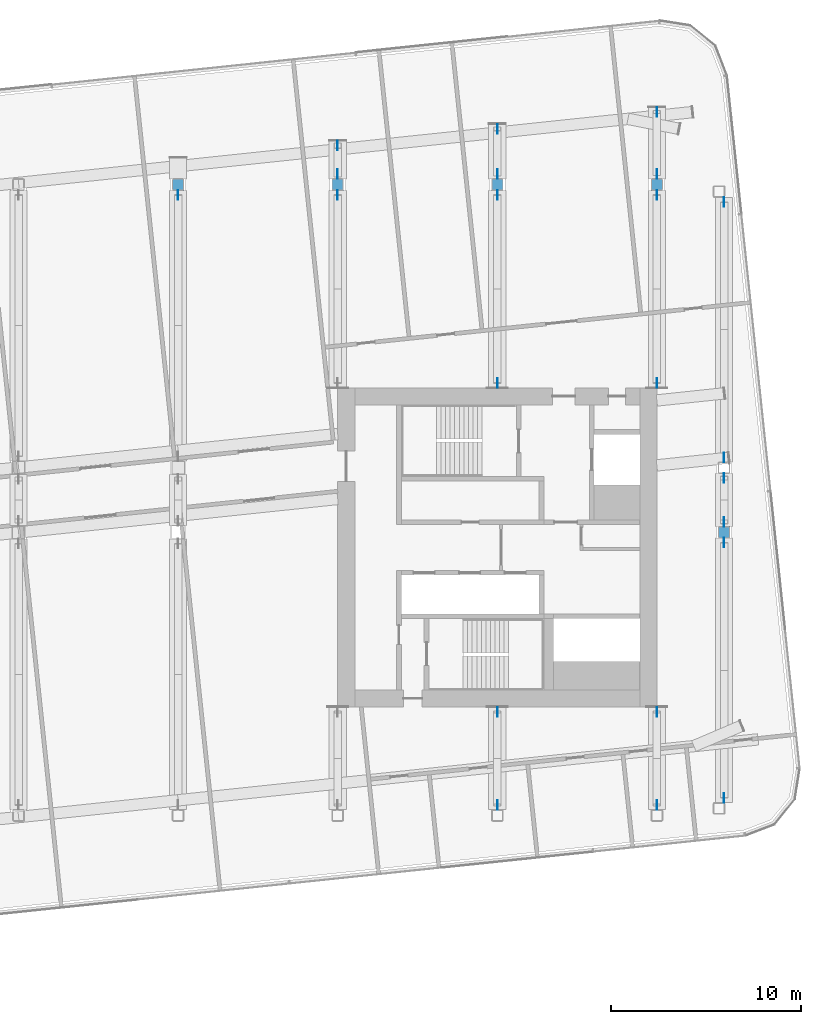
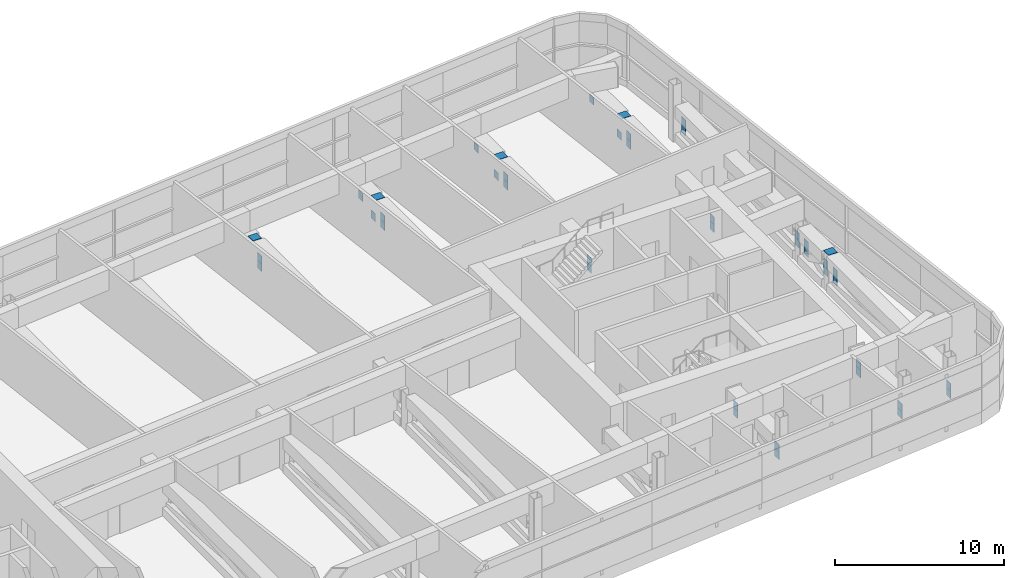
# One storey, part 27 of 33: 43 discrete accessories.
"""IFC4 building model written with IfcOpenShell, lengths in metres."""

from ifc_helpers import new_model, si_unit, direction, frame, origin, origin_2d, place, context, subcontext, project, spatial, rectangle, extrude, material, material_profile, profile_set, type_object, element, save


model = new_model("IFC4")

# Units and contexts
model_context = context("Model", 3, precision=1e-05, world=origin(), true_north=direction((0.0, 1.0)))
body_context = subcontext(model_context, "Body", "Model", "MODEL_VIEW")
ifc_project = project(units=[si_unit("LENGTHUNIT", "METRE"), si_unit("AREAUNIT", "SQUARE_METRE"), si_unit("VOLUMEUNIT", "CUBIC_METRE"), si_unit("PLANEANGLEUNIT", "RADIAN"), si_unit("MASSUNIT", "GRAM", prefix="KILO")], contexts=[model_context])

# Site, building, storey
site_placement = place(None, origin())
site = spatial("IfcSite", under=ifc_project, at=site_placement, CompositionType="ELEMENT")
building_placement = place(site_placement, origin())
building = spatial("IfcBuilding", under=site, at=building_placement, Name="Hakoniwa Tower and Hamabe Station Hall", CompositionType="ELEMENT")
storey_placement = place(building_placement, frame((0.0, 0.0, 228.199951171875)))
storey = spatial("IfcBuildingStorey", under=building, at=storey_placement, Name="L65", CompositionType="ELEMENT", Elevation=228.199951171875)

# Discrete accessories
ifc_material_1 = material(Name="Steel BCP325", Category="steel")
ifc_material_profile_1 = material_profile(ifc_material_1, rectangle(XDim=0.60009765625, YDim=0.60009765625, at=origin_2d()), Name="END CAP PLATE BCP-600x600x25")
ifc_profile_set_1 = profile_set([ifc_material_profile_1], Name="Steel BCP325")
discrete_accessory_type_1 = type_object("IfcDiscreteAccessoryType", Name="END CAP PLATE BCP-600x600x25", PredefinedType="USERDEFINED", material=ifc_profile_set_1)
for number, where, z_axis, x_axis, name in (
    (1, (8.39990234375, 19.10009765625, 2.60009765625), (0.0, 0.0, 1.0), (1.0, 0.0, 0.0), "End cap plate T4-11-P04"),
    (2, (16.800048828125, 19.10009765625, 2.60009765625), (0.0, 0.0, 1.0), (1.0, 0.0, 0.0), "End cap plate T4-13-P02"),
    (3, (25.199951171875, 19.10009765625, 2.60009765625), (0.0, 0.0, 1.0), (1.0, 0.0, 0.0), "End cap plate T4-15-P02"),
    (4, (33.60009765625, 19.10009765625, 2.60009765625), (0.0, 0.0, 1.0), (1.0, 0.0, 0.0), "End cap plate T4-17-P02"),
    (5, (37.138916015625, 0.800048828125, 2.60009765625), (0.0, 0.0, 1.0), (1.0, 0.0, 0.0), "End cap plate T4-18-P02"),
):
    element("IfcDiscreteAccessory", number, at=place(storey_placement, frame(where, z_axis=z_axis, x_axis=x_axis)), inside=storey, type_object=discrete_accessory_type_1, Name=name, ObjectType="END CAP PLATE", PredefinedType="USERDEFINED", context=body_context, shape_type="SweptSolid", body=[
        extrude(rectangle(XDim=0.60009765625, YDim=0.60009765625, at=origin_2d()), origin(), (0.0, 0.0, 1.0), 0.02490234375),
    ])
ifc_material_2 = material(Name="Steel SN490C", Category="steel")
ifc_material_profile_2 = material_profile(ifc_material_2, rectangle(XDim=0.5, YDim=0.550048828125, at=origin_2d()), Name="GUSSET PLATE BX-500x400x22")
ifc_profile_set_2 = profile_set([ifc_material_profile_2], Name="Steel SN490C")
discrete_accessory_type_2 = type_object("IfcDiscreteAccessoryType", Name="GUSSET PLATE BX-500x400x22", PredefinedType="USERDEFINED", material=ifc_profile_set_2)
for number, where, z_axis, x_axis, name in (
    (6, (8.41259765625, 18.550048828125, 1.425048828125), (-1.0, 0.0, 0.0), (0.0, -1.0, 0.0), "Gusset plate T4-011-D03A"),
    (7, (8.41259765625, 18.550048828125, 0.875), (-1.0, 0.0, 0.0), (0.0, -1.0, 0.0), "Gusset plate T4-011-D03B"),
):
    element("IfcDiscreteAccessory", number, at=place(storey_placement, frame(where, z_axis=z_axis, x_axis=x_axis)), inside=storey, type_object=discrete_accessory_type_2, Name=name, ObjectType="GUSSET PLATE", PredefinedType="USERDEFINED", context=body_context, shape_type="SweptSolid", body=[
        extrude(rectangle(XDim=0.5, YDim=0.550048828125, at=origin_2d()), origin(), (0.0, 0.0, 1.0), 0.025146484375),
    ])
for number, where, z_axis, x_axis, name in (
    (8, (16.8125, 18.550048828125, 1.425048828125), (-1.0, 0.0, 0.0), (0.0, -1.0, 0.0), "Gusset plate T4-013-D01A"),
    (9, (16.8125, 18.550048828125, 0.875), (-1.0, 0.0, 0.0), (0.0, -1.0, 0.0), "Gusset plate T4-013-D01B"),
    (10, (16.8125, 19.64990234375, 0.875), (-1.0, 0.0, 0.0), (0.0, -1.0, 0.0), "Gusset plate T4-013-DHA"),
    (11, (16.8125, 21.156982421875, 1.425048828125), (-1.0, 0.0, 0.0), (0.0, -1.0, 0.0), "Gusset plate T4-013-DHA"),
    (12, (25.21240234375, -13.550048828125, 0.875), (-1.0, 0.0, 0.0), (0.0, -1.0, 0.0), "Gusset plate T4-014-D01A"),
    (13, (25.21240234375, -8.64990234375, 1.425048828125), (-1.0, 0.0, 0.0), (0.0, -1.0, 0.0), "Gusset plate T4-014-D01A"),
    (14, (25.21240234375, -13.550048828125, 1.425048828125), (-1.0, 0.0, 0.0), (0.0, -1.0, 0.0), "Gusset plate T4-014-D01B"),
    (15, (25.21240234375, -8.64990234375, 0.875), (-1.0, 0.0, 0.0), (0.0, -1.0, 0.0), "Gusset plate T4-014-D01B"),
    (16, (25.21240234375, 8.64990234375, 0.875), (-1.0, 0.0, 0.0), (0.0, -1.0, 0.0), "Gusset plate T4-015-D01A"),
    (17, (25.21240234375, 18.550048828125, 1.425048828125), (-1.0, 0.0, 0.0), (0.0, -1.0, 0.0), "Gusset plate T4-015-D01A"),
    (18, (25.21240234375, 8.64990234375, 1.425048828125), (-1.0, 0.0, 0.0), (0.0, -1.0, 0.0), "Gusset plate T4-015-D01B"),
    (19, (25.21240234375, 18.550048828125, 0.875), (-1.0, 0.0, 0.0), (0.0, -1.0, 0.0), "Gusset plate T4-015-D01B"),
    (20, (25.21240234375, 19.64990234375, 0.875), (-1.0, 0.0, 0.0), (0.0, -1.0, 0.0), "Gusset plate T4-015-DHA"),
    (21, (25.21240234375, 22.0400390625, 1.425048828125), (-1.0, 0.0, 0.0), (0.0, -1.0, 0.0), "Gusset plate T4-015-DHA"),
):
    element("IfcDiscreteAccessory", number, at=place(storey_placement, frame(where, z_axis=z_axis, x_axis=x_axis)), inside=storey, type_object=discrete_accessory_type_2, Name=name, ObjectType="GUSSET PLATE", PredefinedType="USERDEFINED", context=body_context, shape_type="SweptSolid", body=[
        extrude(rectangle(XDim=0.5, YDim=0.550048828125, at=origin_2d()), origin(), (0.0, 0.0, 1.0), 0.02490234375),
    ])
for number, where, z_axis, x_axis, name in (
    (22, (33.612548828125, -13.550048828125, 0.875), (-1.0, 0.0, 0.0), (0.0, -1.0, 0.0), "Gusset plate T4-016-D01A"),
    (23, (33.612548828125, -8.64990234375, 1.425048828125), (-1.0, 0.0, 0.0), (0.0, -1.0, 0.0), "Gusset plate T4-016-D01A"),
    (24, (33.612548828125, -13.550048828125, 1.425048828125), (-1.0, 0.0, 0.0), (0.0, -1.0, 0.0), "Gusset plate T4-016-D01B"),
    (25, (33.612548828125, -8.64990234375, 0.875), (-1.0, 0.0, 0.0), (0.0, -1.0, 0.0), "Gusset plate T4-016-D01B"),
    (26, (33.612548828125, 8.64990234375, 0.875), (-1.0, 0.0, 0.0), (0.0, -1.0, 0.0), "Gusset plate T4-017-D01A"),
    (27, (33.612548828125, 18.550048828125, 1.425048828125), (-1.0, 0.0, 0.0), (0.0, -1.0, 0.0), "Gusset plate T4-017-D01A"),
    (28, (33.612548828125, 8.64990234375, 1.425048828125), (-1.0, 0.0, 0.0), (0.0, -1.0, 0.0), "Gusset plate T4-017-D01B"),
    (29, (33.612548828125, 18.550048828125, 0.875), (-1.0, 0.0, 0.0), (0.0, -1.0, 0.0), "Gusset plate T4-017-D01B"),
    (30, (33.612548828125, 19.64990234375, 0.875), (-1.0, 0.0, 0.0), (0.0, -1.0, 0.0), "Gusset plate T4-017-DHA"),
    (31, (33.612548828125, 22.923095703125, 1.425048828125), (-1.0, 0.0, 0.0), (0.0, -1.0, 0.0), "Gusset plate T4-017-DHA"),
    (32, (37.151611328125, -13.177978515625, 0.875), (-1.0, 0.0, 0.0), (0.0, -1.0, 0.0), "Gusset plate T4-018-D01A"),
    (33, (37.151611328125, 0.25, 1.425048828125), (-1.0, 0.0, 0.0), (0.0, -1.0, 0.0), "Gusset plate T4-018-D01A"),
    (34, (37.151611328125, -13.177978515625, 1.425048828125), (-1.0, 0.0, 0.0), (0.0, -1.0, 0.0), "Gusset plate T4-018-D01B"),
    (35, (37.151611328125, 0.25, 0.875), (-1.0, 0.0, 0.0), (0.0, -1.0, 0.0), "Gusset plate T4-018-D01B"),
    (36, (37.151611328125, 1.35009765625, 0.875), (-1.0, 0.0, 0.0), (0.0, -1.0, 0.0), "Gusset plate T4-018-D02A"),
    (37, (37.151611328125, 3.64990234375, 1.425048828125), (-1.0, 0.0, 0.0), (0.0, -1.0, 0.0), "Gusset plate T4-018-D02A"),
    (38, (37.151611328125, 1.35009765625, 1.425048828125), (-1.0, 0.0, 0.0), (0.0, -1.0, 0.0), "Gusset plate T4-018-D02B"),
    (39, (37.151611328125, 3.64990234375, 0.875), (-1.0, 0.0, 0.0), (0.0, -1.0, 0.0), "Gusset plate T4-018-D02B"),
    (40, (37.151611328125, 4.75, 0.875), (-1.0, 0.0, 0.0), (0.0, -1.0, 0.0), "Gusset plate T4-018-D03A"),
    (41, (37.151611328125, 18.177978515625, 1.425048828125), (-1.0, 0.0, 0.0), (0.0, -1.0, 0.0), "Gusset plate T4-018-D03A"),
    (42, (37.151611328125, 4.75, 1.425048828125), (-1.0, 0.0, 0.0), (0.0, -1.0, 0.0), "Gusset plate T4-018-D03B"),
    (43, (37.151611328125, 18.177978515625, 0.875), (-1.0, 0.0, 0.0), (0.0, -1.0, 0.0), "Gusset plate T4-018-D03B"),
):
    element("IfcDiscreteAccessory", number, at=place(storey_placement, frame(where, z_axis=z_axis, x_axis=x_axis)), inside=storey, type_object=discrete_accessory_type_2, Name=name, ObjectType="GUSSET PLATE", PredefinedType="USERDEFINED", context=body_context, shape_type="SweptSolid", body=[
        extrude(rectangle(XDim=0.5, YDim=0.550048828125, at=origin_2d()), origin(), (0.0, 0.0, 1.0), 0.025146484375),
    ])

save(model, "model.ifc")
